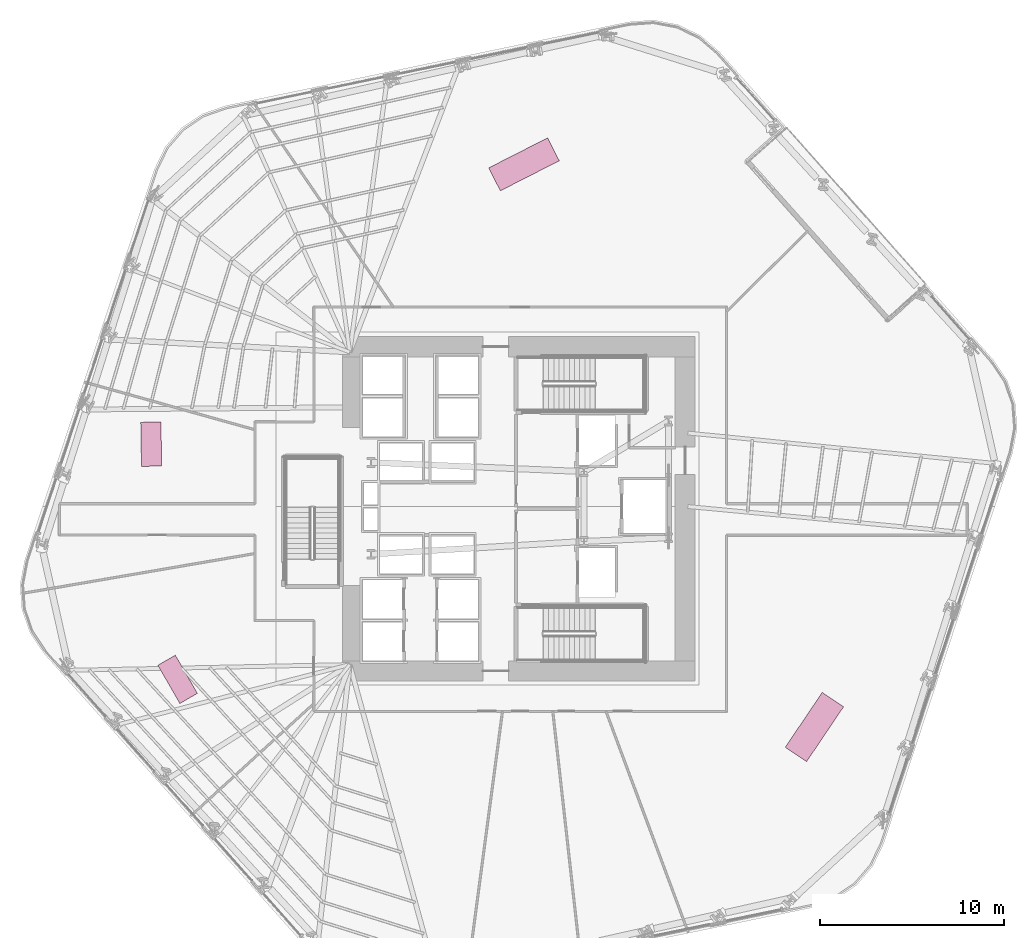
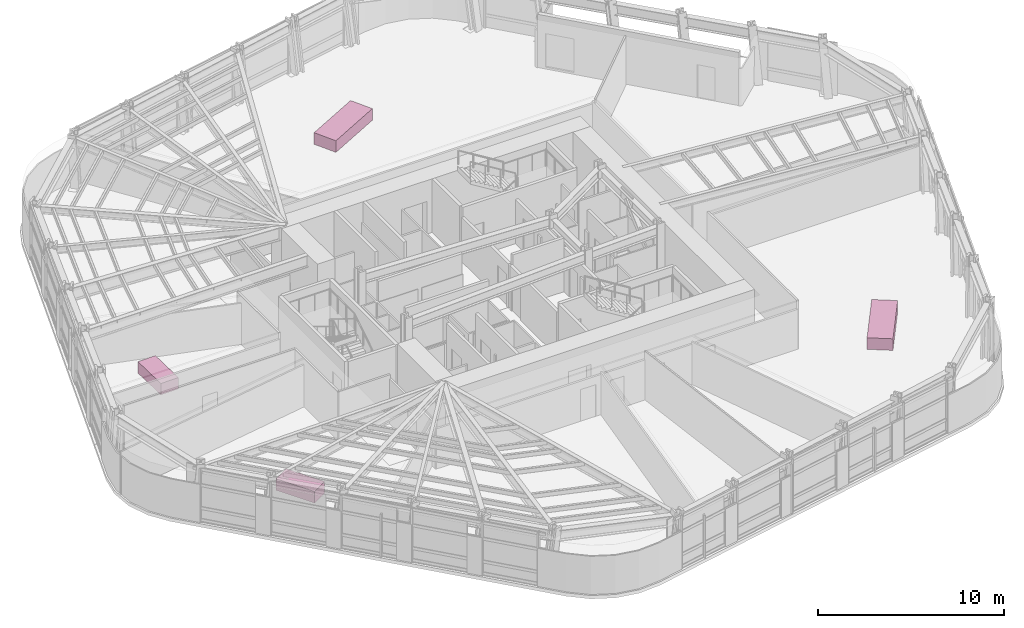
# One storey, part 17 of 17: 4 furniture elements.
"""IFC4 building model written with IfcOpenShell, lengths in metres."""

from ifc_helpers import new_model, si_unit, direction, frame, origin, origin_2d, place, context, subcontext, project, spatial, rectangle, extrude, material, type_object, element, save


model = new_model("IFC4")

# Units and contexts
model_context = context("Model", 3, precision=1e-05, world=origin(), true_north=direction((0.0, 1.0)))
body_context = subcontext(model_context, "Body", "Model", "MODEL_VIEW")
ifc_project = project(units=[si_unit("LENGTHUNIT", "METRE"), si_unit("AREAUNIT", "SQUARE_METRE"), si_unit("VOLUMEUNIT", "CUBIC_METRE"), si_unit("PLANEANGLEUNIT", "RADIAN"), si_unit("MASSUNIT", "GRAM", prefix="KILO")], contexts=[model_context])

# Site, building, storey
site_placement = place(None, origin())
site = spatial("IfcSite", under=ifc_project, at=site_placement, CompositionType="ELEMENT")
building_placement = place(site_placement, origin())
building = spatial("IfcBuilding", under=site, at=building_placement, Name="Valkerne Bourse Tower", CompositionType="ELEMENT")
storey_placement = place(building_placement, frame((0.0, 0.0, 73.39990234375)))
storey = spatial("IfcBuildingStorey", under=building, at=storey_placement, Name="L18", CompositionType="ELEMENT", Elevation=73.39990234375)

# Furniture
ifc_material = material(Name="Architectural White Oak Timber", Category="wood")
furniture_type_1 = type_object("IfcFurnitureType", Name="FURN-CONF-3600", AssemblyPlace="NOTDEFINED", PredefinedType="TABLE", material=ifc_material)
for number, where, z_axis, x_axis, name in (
    (1, (47.08203125, 45.62109375, 0.044921875), (0.0, 0.0, 1.0), (0.891006524188, 0.45399049974, 0.0), "L18 Suite Worktable 09"),
    (2, (62.887939453125, 15.0, 0.044921875), (0.0, 0.0, 1.0), (0.559192903471, 0.829037572555, 0.0), "L18 Suite Worktable 10"),
):
    element("IfcFurniture", number, at=place(storey_placement, frame(where, z_axis=z_axis, x_axis=x_axis)), inside=storey, type_object=furniture_type_1, Name=name, PredefinedType="TABLE", context=body_context, shape_type="SweptSolid", body=[
        extrude(rectangle(XDim=3.60009765625, YDim=1.39990234375, at=origin_2d()), origin(), (0.0, 0.0, 1.0), 0.760009765625),
    ])
furniture_type_2 = type_object("IfcFurnitureType", Name="FURN-DESK-2400", AssemblyPlace="NOTDEFINED", PredefinedType="DESK", material=ifc_material)
for number, where, z_axis, x_axis, name in (
    (3, (26.7958984375, 30.39306640625, 0.045166015625), (0.0, 0.0, 1.0), (-0.017452406437, 0.999847695156, 0.0), "L18 Suite Worktable 05"),
    (4, (28.23291015625, 17.594970703125, 0.045166015625), (0.0, 0.0, 1.0), (-0.5, 0.866025403784, 0.0), "L18 Suite Worktable 06"),
):
    element("IfcFurniture", number, at=place(storey_placement, frame(where, z_axis=z_axis, x_axis=x_axis)), inside=storey, type_object=furniture_type_2, Name=name, PredefinedType="DESK", context=body_context, shape_type="SweptSolid", body=[
        extrude(rectangle(XDim=2.39990234375, YDim=1.10009765625, at=origin_2d()), origin(), (0.0, 0.0, 1.0), 0.75),
    ])

save(model, "model.ifc")
